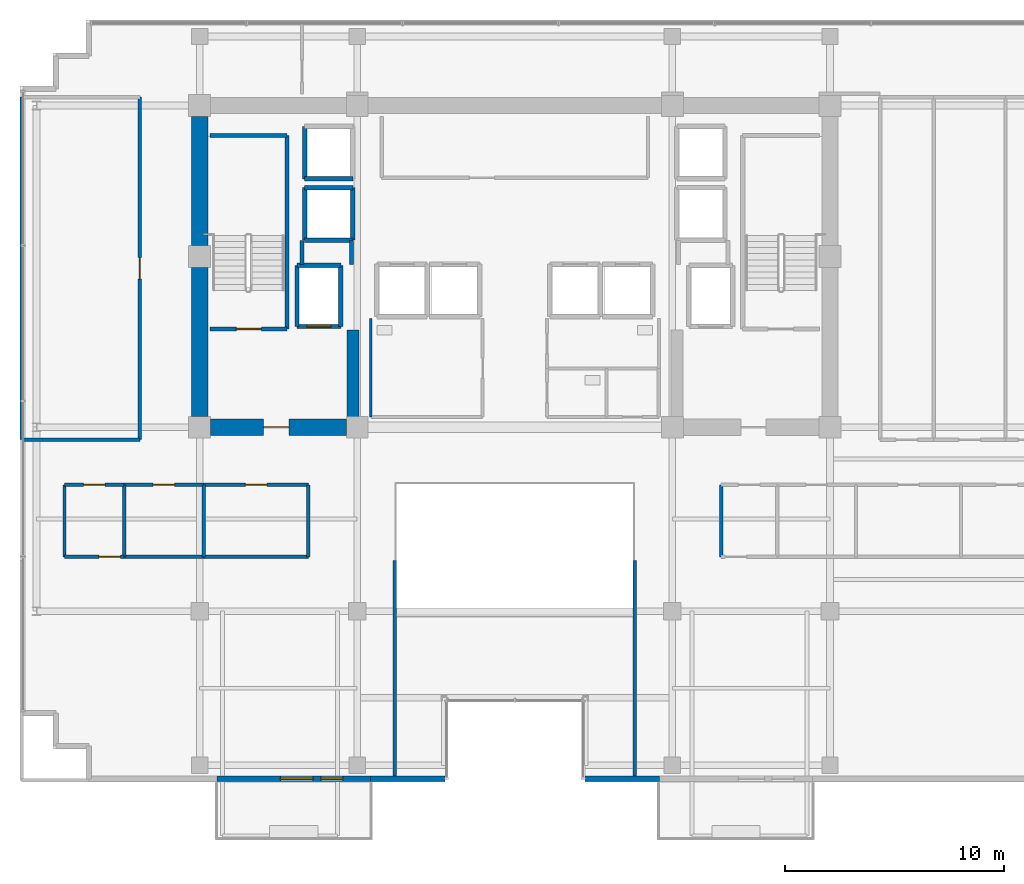
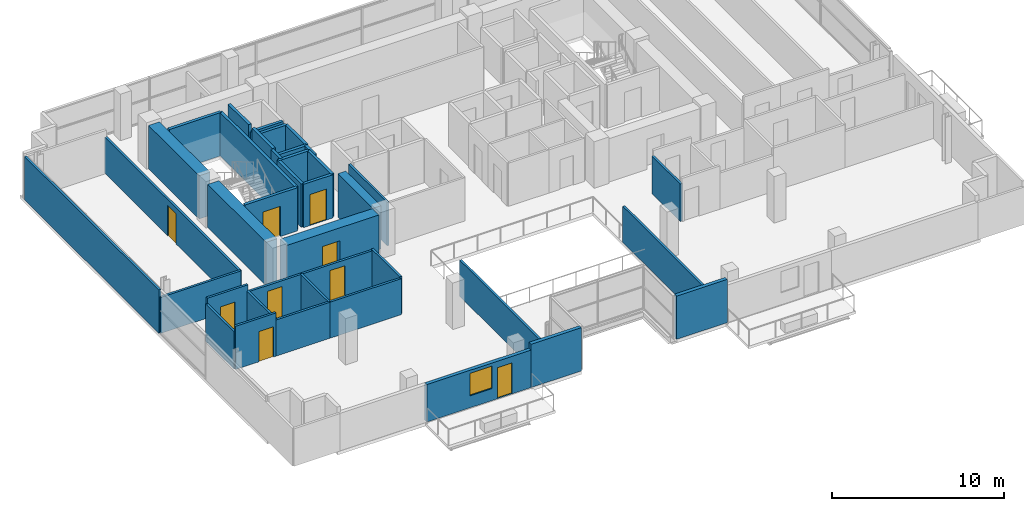
# One storey, part 15 of 21: 39 walls, 9 doors, 1 window, 10 openings.
"""IFC4 building model written with IfcOpenShell, lengths in metres."""

from ifc_helpers import new_model, si_unit, direction, frame, frame_2d, origin, place, context, subcontext, project, spatial, rectangle, extrude, source, transform, mapped, material, layer, layer_set, type_object, element, fill, save


model = new_model("IFC4")

# Units and contexts
model_context = context("Model", 3, precision=1e-05, world=origin(), true_north=direction((0.0, 1.0)))
body_context = subcontext(model_context, "Body", "Model", "MODEL_VIEW")
ifc_project = project(units=[si_unit("LENGTHUNIT", "METRE"), si_unit("AREAUNIT", "SQUARE_METRE"), si_unit("VOLUMEUNIT", "CUBIC_METRE"), si_unit("PLANEANGLEUNIT", "RADIAN"), si_unit("MASSUNIT", "GRAM", prefix="KILO")], contexts=[model_context])

# Site, building, storey
site_placement = place(None, origin())
site = spatial("IfcSite", under=ifc_project, at=site_placement, CompositionType="ELEMENT")
building_placement = place(site_placement, origin())
building = spatial("IfcBuilding", under=site, at=building_placement, Name="Zarnakvel Exchange Tower", CompositionType="ELEMENT")
storey_placement = place(building_placement, frame((0.0, 0.0, 189.10009765625)))
storey = spatial("IfcBuildingStorey", under=building, at=storey_placement, Name="L53", CompositionType="ELEMENT", Elevation=189.10009765625)

# Walls
ifc_material_1 = material(Name="Concrete C60/75", Category="concrete")
ifc_layer_1 = layer(ifc_material_1, 0.75)
ifc_layer_set_1 = layer_set([ifc_layer_1], Name="Concrete C60/75")
wall_type_1 = type_object("IfcWallType", Name="CW-C3", PredefinedType="SHEAR", material=ifc_layer_set_1)
wall_1_placement = place(storey_placement, frame((-14.39990234375, -0.699951171875, 0.0), z_axis=(0.0, 0.0, 1.0), x_axis=(0.0, 1.0, 0.0)))
element("IfcWall", 1, at=wall_1_placement, inside=storey, type_object=wall_type_1, Name="L53 Rear Core Shear Wall W1 (CW-C3)", PredefinedType="SHEAR", context=body_context, shape_type="SweptSolid", body=[
    extrude(rectangle(XDim=6.800048828125, YDim=0.75, at=frame_2d((3.39990234375, 0.0))), origin(), (0.0, 0.0, 1.0), 3.074951171875),
])
wall_2_placement = place(storey_placement, frame((-14.39990234375, 7.10009765625, 0.0), z_axis=(0.0, 0.0, 1.0), x_axis=(0.0, 1.0, 0.0)))
element("IfcWall", 2, at=wall_2_placement, inside=storey, type_object=wall_type_1, Name="L53 Rear Core Shear Wall W2 (CW-C3)", PredefinedType="SHEAR", context=body_context, shape_type="SweptSolid", body=[
    extrude(rectangle(XDim=5.89990234375, YDim=0.75, at=frame_2d((2.949951171875, 0.0))), origin(), (0.0, 0.0, 1.0), 3.074951171875),
])

# Wall, opening, door
wall_3_placement = place(storey_placement, frame((-7.699951171875, -1.199951171875, 0.0), z_axis=(0.0, 0.0, 1.0), x_axis=(-1.0, 0.0, 0.0)))
wall_3 = element("IfcWall", 3, at=wall_3_placement, inside=storey, type_object=wall_type_1, Name="L53 Rear Core Shear Wall SW (CW-C3)", PredefinedType="SHEAR", context=body_context, shape_type="SweptSolid", body=[
    extrude(rectangle(XDim=6.199951171875, YDim=0.75, at=frame_2d((3.10009765625, 0.0))), origin(), (0.0, 0.0, 1.0), 3.074951171875),
])
opening_1_placement = place(wall_3_placement, frame((2.625, 0.0, 0.0)))
opening_1 = element("IfcOpeningElement", 4, at=opening_1_placement, cuts=wall_3, Name="Opening D-L53-03", PredefinedType="OPENING", context=body_context, shape_type="SweptSolid", body=[
    extrude(rectangle(XDim=1.14990234375, YDim=2.14990234375, at=frame_2d((0.574951171875, 1.074951171875))), frame((0.0, 0.385009765625, 0.0), z_axis=(0.0, -1.0, 0.0), x_axis=(1.0, 0.0, 0.0)), (0.0, 0.0, 1.0), 0.77001953125),
])
ifc_material_2 = material(Name="Painted Galvanised Steel S355", Category="steel")
door_type_1 = type_object("IfcDoorType", Name="DT-04", OperationType="NOTDEFINED", PredefinedType="DOOR", material=ifc_material_2)
shared_shape_1 = source(origin(), body_context, "Body", "SweptSolid", [
    extrude(rectangle(XDim=1.14990234375, YDim=2.14990234375, at=frame_2d((0.574951171875, 1.074951171875))), frame((0.0, 0.02490234375, 0.0), z_axis=(0.0, -1.0, 0.0), x_axis=(1.0, 0.0, 0.0)), (0.0, 0.0, 1.0), 0.050048828125),
])
door_1_placement = place(opening_1_placement, origin())
door_1 = element("IfcDoor", 5, at=door_1_placement, inside=storey, type_object=door_type_1, Name="L53 Firefighting Lobby West Door D-L53-03", OperationType="SINGLE_SWING_LEFT", OverallHeight=2.14990234375, OverallWidth=1.14990234375, PredefinedType="DOOR", context=body_context, shape_type="MappedRepresentation", body=[
    mapped(shared_shape_1, transform((0.0, 0.0, 0.0), x_axis=(1.0, 0.0, 0.0), y_axis=(0.0, 1.0, 0.0), z_axis=(0.0, 0.0, 1.0), scale=1.0)),
])
fill(opening_1, door_1)

# Wall
ifc_layer_2 = layer(ifc_material_1, 0.550048828125)
ifc_layer_set_2 = layer_set([ifc_layer_2], Name="Concrete C60/75")
wall_type_2 = type_object("IfcWallType", Name="CW-C4", PredefinedType="SHEAR", material=ifc_layer_set_2)
wall_4_placement = place(storey_placement, frame((-7.39990234375, -0.824951171875, 0.0), z_axis=(0.0, 0.0, 1.0), x_axis=(0.0, 1.0, 0.0)))
element("IfcWall", 6, at=wall_4_placement, inside=storey, type_object=wall_type_2, Name="L53 Rear Core Shear Wall IW (CW-C4)", PredefinedType="SHEAR", context=body_context, shape_type="SweptSolid", body=[
    extrude(rectangle(XDim=4.074951171875, YDim=0.550048828125, at=frame_2d((2.03759765625, 0.0))), origin(), (0.0, 0.0, 1.0), 3.074951171875),
])

# Wall, openings, door, window
ifc_material_3 = material(Name="Precast concrete C40/50", Category="concrete")
ifc_layer_3 = layer(ifc_material_3, 0.239990234375)
ifc_layer_set_3 = layer_set([ifc_layer_3], Name="Precast concrete C40/50")
wall_type_3 = type_object("IfcWallType", Name="EW-02", PredefinedType="SOLIDWALL", material=ifc_layer_set_3)
wall_5_placement = place(storey_placement, frame((-6.60009765625, -17.260009765625, 0.0), z_axis=(0.0, 0.0, 1.0), x_axis=(-1.0, 0.0, 0.0)))
wall_5 = element("IfcWall", 7, at=wall_5_placement, inside=storey, type_object=wall_type_3, Name="L53 Exterior Precast Spandrel Wall EW-BAL-L53-SW (EW-02)", PredefinedType="SOLIDWALL", context=body_context, shape_type="SweptSolid", body=[
    extrude(rectangle(XDim=7.0, YDim=0.239990234375, at=frame_2d((3.5, 0.0))), origin(), (0.0, 0.0, 1.0), 2.664794921875),
])
opening_2_placement = place(wall_5_placement, frame((1.260009765625, 0.0, 0.0)))
opening_2 = element("IfcOpeningElement", 8, at=opening_2_placement, cuts=wall_5, Name="Opening BD-L53-01", PredefinedType="OPENING", context=body_context, shape_type="SweptSolid", body=[
    extrude(rectangle(XDim=1.0, YDim=2.199951171875, at=frame_2d((0.5, 1.10009765625))), frame((0.0, 0.1298828125, 0.0), z_axis=(0.0, -1.0, 0.0), x_axis=(1.0, 0.0, 0.0)), (0.0, 0.0, 1.0), 0.260009765625),
])
opening_3_placement = place(wall_5_placement, frame((2.610107421875, 0.0, 0.85009765625)))
opening_3 = element("IfcOpeningElement", 9, at=opening_3_placement, cuts=wall_5, Name="Opening WN-03", PredefinedType="OPENING", context=body_context, shape_type="SweptSolid", body=[
    extrude(rectangle(XDim=1.5, YDim=1.60009765625, at=frame_2d((0.75, 0.800048828125))), frame((0.0, 0.1298828125, 0.0), z_axis=(0.0, -1.0, 0.0), x_axis=(1.0, 0.0, 0.0)), (0.0, 0.0, 1.0), 0.260009765625),
])
ifc_material_4 = material(Name="Architectural Bronze Anodised Aluminium", Category="aluminium")
door_type_2 = type_object("IfcDoorType", Name="DT-09", OperationType="NOTDEFINED", PredefinedType="DOOR", material=ifc_material_4)
shared_shape_2 = source(origin(), body_context, "Body", "SweptSolid", [
    extrude(rectangle(XDim=1.0, YDim=2.199951171875, at=frame_2d((0.5, 1.10009765625))), frame((0.0, 0.02490234375, 0.0), z_axis=(0.0, -1.0, 0.0), x_axis=(1.0, 0.0, 0.0)), (0.0, 0.0, 1.0), 0.050048828125),
])
door_2_placement = place(opening_2_placement, origin())
door_2 = element("IfcDoor", 10, at=door_2_placement, inside=storey, type_object=door_type_2, Name="L53 Planted Loggia Balcony Door BD-L53-01", OperationType="SINGLE_SWING_LEFT", OverallHeight=2.199951171875, OverallWidth=1.0, PredefinedType="DOOR", context=body_context, shape_type="MappedRepresentation", body=[
    mapped(shared_shape_2, transform((0.0, 0.0, 0.0), x_axis=(1.0, 0.0, 0.0), y_axis=(0.0, 1.0, 0.0), z_axis=(0.0, 0.0, 1.0), scale=1.0)),
])
fill(opening_2, door_2)
ifc_material_5 = material(Name="Double Low-E Laminated Vision Glass", Category="glass")
window_type = type_object("IfcWindowType", Name="WN-03", PartitioningType="SINGLE_PANEL", PredefinedType="WINDOW", material=ifc_material_5)
shared_shape_3 = source(origin(), body_context, "Body", "SweptSolid", [
    extrude(rectangle(XDim=1.5, YDim=1.60009765625, at=frame_2d((0.75, 0.800048828125))), frame((0.0, 0.030029296875, 0.0), z_axis=(0.0, -1.0, 0.0), x_axis=(1.0, 0.0, 0.0)), (0.0, 0.0, 1.0), 0.06005859375),
])
window_placement = place(opening_3_placement, origin())
window = element("IfcWindow", 11, at=window_placement, inside=storey, type_object=window_type, Name="L53 Loggia Daylight Window (WN-03)", OverallHeight=1.60009765625, OverallWidth=1.5, PartitioningType="SINGLE_PANEL", PredefinedType="WINDOW", context=body_context, shape_type="MappedRepresentation", body=[
    mapped(shared_shape_3, transform((0.0, 0.0, 0.0), x_axis=(1.0, 0.0, 0.0), y_axis=(0.0, 1.0, 0.0), z_axis=(0.0, 0.0, 1.0), scale=1.0)),
])
fill(opening_3, window)

# Walls
for number, where, z_axis, x_axis, name in (
    (12, (3.199951171875, -17.260009765625, 0.0), (0.0, 0.0, 1.0), (1.0, 0.0, 0.0), "L53 Exterior Precast Spandrel Wall EWC-L53-16 (EW-02)"),
    (13, (-6.60009765625, -17.260009765625, 0.0), (0.0, 0.0, 1.0), (1.0, 0.0, 0.0), "L53 Exterior Precast Spandrel Wall EWC-L53-21 (EW-02)"),
):
    element("IfcWall", number, at=place(storey_placement, frame(where, z_axis=z_axis, x_axis=x_axis)), inside=storey, type_object=wall_type_3, Name=name, PredefinedType="SOLIDWALL", context=body_context, shape_type="SweptSolid", body=[
        extrude(rectangle(XDim=3.400146484375, YDim=0.239990234375, at=frame_2d((1.7001953125, 0.0))), origin(), (0.0, 0.0, 1.0), 3.074951171875),
    ])

# Wall, opening, door
ifc_material_6 = material(Name="Fire-Rated Gypsum Stud Partition", Category="gypsum")
ifc_layer_4 = layer(ifc_material_6, 0.14990234375)
ifc_layer_set_4 = layer_set([ifc_layer_4], Name="Fire-Rated Gypsum Stud Partition")
wall_type_4 = type_object("IfcWallType", Name="PT-01", PredefinedType="PARTITIONING", material=ifc_layer_set_4)
wall_6_placement = place(storey_placement, frame((-17.842529296875, -7.1201171875, 0.0), z_axis=(0.0, 0.0, 1.0), x_axis=(-1.0, 0.0, 0.0)))
wall_6 = element("IfcWall", 14, at=wall_6_placement, inside=storey, type_object=wall_type_4, Name="L53 Partition Wall PWALL-L53-025 (PT-01)", PredefinedType="PARTITIONING", context=body_context, shape_type="SweptSolid", body=[
    extrude(rectangle(XDim=2.72900390625, YDim=0.14990234375, at=frame_2d((1.364501953125, 0.0))), origin(), (0.0, 0.0, 1.0), 3.074951171875),
])
opening_4_placement = place(wall_6_placement, frame((0.179931640625, 0.0, 0.0)))
opening_4 = element("IfcOpeningElement", 15, at=opening_4_placement, cuts=wall_6, Name="Opening D-L53-13", PredefinedType="OPENING", context=body_context, shape_type="SweptSolid", body=[
    extrude(rectangle(XDim=0.97998046875, YDim=2.14990234375, at=frame_2d((0.489990234375, 1.074951171875))), frame((0.0, 0.0849609375, 0.0), z_axis=(0.0, -1.0, 0.0), x_axis=(1.0, 0.0, 0.0)), (0.0, 0.0, 1.0), 0.169921875),
])
ifc_material_7 = material(Name="Timber Acoustic Veneer", Category="wood")
door_type_3 = type_object("IfcDoorType", Name="DT-05", OperationType="NOTDEFINED", PredefinedType="DOOR", material=ifc_material_7)
shared_shape_4 = source(origin(), body_context, "Body", "SweptSolid", [
    extrude(rectangle(XDim=0.97998046875, YDim=2.14990234375, at=frame_2d((0.489990234375, 1.074951171875))), frame((0.0, 0.02490234375, 0.0), z_axis=(0.0, -1.0, 0.0), x_axis=(1.0, 0.0, 0.0)), (0.0, 0.0, 1.0), 0.050048828125),
])
door_3_placement = place(opening_4_placement, origin())
door_3 = element("IfcDoor", 16, at=door_3_placement, inside=storey, type_object=door_type_3, Name="L53 Equities Trading Floor Door D-L53-13", OperationType="SINGLE_SWING_LEFT", OverallHeight=2.14990234375, OverallWidth=0.97998046875, PredefinedType="DOOR", context=body_context, shape_type="MappedRepresentation", body=[
    mapped(shared_shape_4, transform((0.0, 0.0, 0.0), x_axis=(1.0, 0.0, 0.0), y_axis=(0.0, 1.0, 0.0), z_axis=(0.0, 0.0, 1.0), scale=1.0)),
])
fill(opening_4, door_3)

wall_7_placement = place(storey_placement, frame((-20.571533203125, -3.830078125, 0.0), z_axis=(0.0, 0.0, 1.0), x_axis=(1.0, 0.0, 0.0)))
wall_7 = element("IfcWall", 17, at=wall_7_placement, inside=storey, type_object=wall_type_4, Name="L53 Partition Wall PWALL-L53-026 (PT-01)", PredefinedType="PARTITIONING", context=body_context, shape_type="SweptSolid", body=[
    extrude(rectangle(XDim=2.72900390625, YDim=0.14990234375, at=frame_2d((1.364501953125, 0.0))), origin(), (0.0, 0.0, 1.0), 3.074951171875),
])
opening_5_placement = place(wall_7_placement, frame((0.87451171875, 0.0, 0.0)))
opening_5 = element("IfcOpeningElement", 18, at=opening_5_placement, cuts=wall_7, Name="Opening D-L53-10", PredefinedType="OPENING", context=body_context, shape_type="SweptSolid", body=[
    extrude(rectangle(XDim=0.97998046875, YDim=2.14990234375, at=frame_2d((0.489990234375, 1.074951171875))), frame((0.0, 0.0849609375, 0.0), z_axis=(0.0, -1.0, 0.0), x_axis=(1.0, 0.0, 0.0)), (0.0, 0.0, 1.0), 0.169921875),
])
door_4_placement = place(opening_5_placement, origin())
door_4 = element("IfcDoor", 19, at=door_4_placement, inside=storey, type_object=door_type_3, Name="L53 Asset Management Office Door D-L53-10", OperationType="SINGLE_SWING_RIGHT", OverallHeight=2.14990234375, OverallWidth=0.97998046875, PredefinedType="DOOR", context=body_context, shape_type="MappedRepresentation", body=[
    mapped(shared_shape_4, transform((0.0, 0.0, 0.0), x_axis=(1.0, 0.0, 0.0), y_axis=(0.0, 1.0, 0.0), z_axis=(0.0, 0.0, 1.0), scale=1.0)),
])
fill(opening_5, door_4)

# Walls
for number, where, z_axis, x_axis, name in (
    (20, (-20.571533203125, -7.1201171875, 0.0), (0.0, 0.0, 1.0), (0.0, 1.0, 0.0), "L53 Partition Wall PWALL-L53-027 (PT-01)"),
    (21, (-17.842529296875, -3.830078125, 0.0), (0.0, 0.0, 1.0), (0.0, -1.0, 0.0), "L53 Partition Wall PWALL-L53-028 (PT-01)"),
):
    element("IfcWall", number, at=place(storey_placement, frame(where, z_axis=z_axis, x_axis=x_axis)), inside=storey, type_object=wall_type_4, Name=name, PredefinedType="PARTITIONING", context=body_context, shape_type="SweptSolid", body=[
        extrude(rectangle(XDim=3.2900390625, YDim=0.14990234375, at=frame_2d((1.64501953125, 0.0))), origin(), (0.0, 0.0, 1.0), 2.664794921875),
    ])
wall_8_placement = place(storey_placement, frame((-14.21435546875, -7.1201171875, 0.0), z_axis=(0.0, 0.0, 1.0), x_axis=(-1.0, 0.0, 0.0)))
element("IfcWall", 22, at=wall_8_placement, inside=storey, type_object=wall_type_4, Name="L53 Partition Wall PWALL-L53-029 (PT-01)", PredefinedType="PARTITIONING", context=body_context, shape_type="SweptSolid", body=[
    extrude(rectangle(XDim=3.628173828125, YDim=0.14990234375, at=frame_2d((1.81396484375, 0.0))), origin(), (0.0, 0.0, 1.0), 2.56494140625),
])

# Wall, opening, door
wall_9_placement = place(storey_placement, frame((-17.842529296875, -3.830078125, 0.0), z_axis=(0.0, 0.0, 1.0), x_axis=(1.0, 0.0, 0.0)))
wall_9 = element("IfcWall", 23, at=wall_9_placement, inside=storey, type_object=wall_type_4, Name="L53 Partition Wall PWALL-L53-030 (PT-01)", PredefinedType="PARTITIONING", context=body_context, shape_type="SweptSolid", body=[
    extrude(rectangle(XDim=3.628173828125, YDim=0.14990234375, at=frame_2d((1.81396484375, 0.0))), origin(), (0.0, 0.0, 1.0), 2.56494140625),
])
opening_6_placement = place(wall_9_placement, frame((1.324462890625, 0.0, 0.0)))
opening_6 = element("IfcOpeningElement", 24, at=opening_6_placement, cuts=wall_9, Name="Opening D-L53-11", PredefinedType="OPENING", context=body_context, shape_type="SweptSolid", body=[
    extrude(rectangle(XDim=0.97998046875, YDim=2.14990234375, at=frame_2d((0.489990234375, 1.074951171875))), frame((0.0, 0.0849609375, 0.0), z_axis=(0.0, -1.0, 0.0), x_axis=(1.0, 0.0, 0.0)), (0.0, 0.0, 1.0), 0.169921875),
])
door_5_placement = place(opening_6_placement, origin())
door_5 = element("IfcDoor", 25, at=door_5_placement, inside=storey, type_object=door_type_3, Name="L53 Meeting Room Door D-L53-11", OperationType="SINGLE_SWING_LEFT", OverallHeight=2.14990234375, OverallWidth=0.97998046875, PredefinedType="DOOR", context=body_context, shape_type="MappedRepresentation", body=[
    mapped(shared_shape_4, transform((0.0, 0.0, 0.0), x_axis=(1.0, 0.0, 0.0), y_axis=(0.0, 1.0, 0.0), z_axis=(0.0, 0.0, 1.0), scale=1.0)),
])
fill(opening_6, door_5)

# Walls
wall_10_placement = place(storey_placement, frame((-14.21435546875, -3.830078125, 0.0), z_axis=(0.0, 0.0, 1.0), x_axis=(0.0, -1.0, 0.0)))
element("IfcWall", 26, at=wall_10_placement, inside=storey, type_object=wall_type_4, Name="L53 Partition Wall PWALL-L53-031 (PT-01)", PredefinedType="PARTITIONING", context=body_context, shape_type="SweptSolid", body=[
    extrude(rectangle(XDim=3.2900390625, YDim=0.14990234375, at=frame_2d((1.64501953125, 0.0))), origin(), (0.0, 0.0, 1.0), 2.56494140625),
])
wall_11_placement = place(storey_placement, frame((-9.429931640625, -7.1201171875, 0.0), z_axis=(0.0, 0.0, 1.0), x_axis=(-1.0, 0.0, 0.0)))
element("IfcWall", 27, at=wall_11_placement, inside=storey, type_object=wall_type_4, Name="L53 Partition Wall PWALL-L53-032 (PT-01)", PredefinedType="PARTITIONING", context=body_context, shape_type="SweptSolid", body=[
    extrude(rectangle(XDim=4.784423828125, YDim=0.14990234375, at=frame_2d((2.39208984375, 0.0))), origin(), (0.0, 0.0, 1.0), 2.56494140625),
])

# Wall, opening, door
wall_12_placement = place(storey_placement, frame((-14.21435546875, -3.830078125, 0.0), z_axis=(0.0, 0.0, 1.0), x_axis=(1.0, 0.0, 0.0)))
wall_12 = element("IfcWall", 28, at=wall_12_placement, inside=storey, type_object=wall_type_4, Name="L53 Partition Wall PWALL-L53-033 (PT-01)", PredefinedType="PARTITIONING", context=body_context, shape_type="SweptSolid", body=[
    extrude(rectangle(XDim=4.784423828125, YDim=0.14990234375, at=frame_2d((2.39208984375, 0.0))), origin(), (0.0, 0.0, 1.0), 2.56494140625),
])
opening_7_placement = place(wall_12_placement, frame((1.90234375, 0.0, 0.0)))
opening_7 = element("IfcOpeningElement", 29, at=opening_7_placement, cuts=wall_12, Name="Opening D-L53-12", PredefinedType="OPENING", context=body_context, shape_type="SweptSolid", body=[
    extrude(rectangle(XDim=0.97998046875, YDim=2.14990234375, at=frame_2d((0.489990234375, 1.074951171875))), frame((0.0, 0.0849609375, 0.0), z_axis=(0.0, -1.0, 0.0), x_axis=(1.0, 0.0, 0.0)), (0.0, 0.0, 1.0), 0.169921875),
])
door_6_placement = place(opening_7_placement, origin())
door_6 = element("IfcDoor", 30, at=door_6_placement, inside=storey, type_object=door_type_3, Name="L53 Executive Office Door D-L53-12", OperationType="SINGLE_SWING_RIGHT", OverallHeight=2.14990234375, OverallWidth=0.97998046875, PredefinedType="DOOR", context=body_context, shape_type="MappedRepresentation", body=[
    mapped(shared_shape_4, transform((0.0, 0.0, 0.0), x_axis=(1.0, 0.0, 0.0), y_axis=(0.0, 1.0, 0.0), z_axis=(0.0, 0.0, 1.0), scale=1.0)),
])
fill(opening_7, door_6)

# Walls
wall_13_placement = place(storey_placement, frame((-9.429931640625, -3.830078125, 0.0), z_axis=(0.0, 0.0, 1.0), x_axis=(0.0, -1.0, 0.0)))
element("IfcWall", 31, at=wall_13_placement, inside=storey, type_object=wall_type_4, Name="L53 Partition Wall PWALL-L53-034 (PT-01)", PredefinedType="PARTITIONING", context=body_context, shape_type="SweptSolid", body=[
    extrude(rectangle(XDim=3.2900390625, YDim=0.14990234375, at=frame_2d((1.64501953125, 0.0))), origin(), (0.0, 0.0, 1.0), 2.664794921875),
])
wall_14_placement = place(storey_placement, frame((-5.47998046875, -7.280029296875, 0.0), z_axis=(0.0, 0.0, 1.0), x_axis=(0.0, -1.0, 0.0)))
element("IfcWall", 32, at=wall_14_placement, inside=storey, type_object=wall_type_4, Name="L53 Partition Wall PWALL-L53-037 (PT-01)", PredefinedType="PARTITIONING", context=body_context, shape_type="SweptSolid", body=[
    extrude(rectangle(XDim=10.050048828125, YDim=0.14990234375, at=frame_2d((5.02490234375, 0.0))), origin(), (0.0, 0.0, 1.0), 2.56494140625),
])
wall_15_placement = place(storey_placement, frame((9.429931640625, -7.1201171875, 0.0), z_axis=(0.0, 0.0, 1.0), x_axis=(0.0, 1.0, 0.0)))
element("IfcWall", 33, at=wall_15_placement, inside=storey, type_object=wall_type_4, Name="L53 Partition Wall PWALL-L53-040 (PT-01)", PredefinedType="PARTITIONING", context=body_context, shape_type="SweptSolid", body=[
    extrude(rectangle(XDim=3.2900390625, YDim=0.14990234375, at=frame_2d((1.64501953125, 0.0))), origin(), (0.0, 0.0, 1.0), 2.664794921875),
])
wall_16_placement = place(storey_placement, frame((5.47998046875, -17.330078125, 0.0), z_axis=(0.0, 0.0, 1.0), x_axis=(0.0, 1.0, 0.0)))
element("IfcWall", 34, at=wall_16_placement, inside=storey, type_object=wall_type_4, Name="L53 Partition Wall PWALL-L53-052 (PT-01)", PredefinedType="PARTITIONING", context=body_context, shape_type="SweptSolid", body=[
    extrude(rectangle(XDim=10.050048828125, YDim=0.14990234375, at=frame_2d((5.02490234375, 0.0))), origin(), (0.0, 0.0, 1.0), 2.56494140625),
])
wall_17_placement = place(storey_placement, frame((-17.1298828125, -1.77001953125, 0.0), z_axis=(0.0, 0.0, 1.0), x_axis=(-1.0, 0.0, 0.0)))
element("IfcWall", 35, at=wall_17_placement, inside=storey, type_object=wall_type_4, Name="L53 Partition Wall PWALL-L53-054 (PT-01)", PredefinedType="PARTITIONING", context=body_context, shape_type="SweptSolid", body=[
    extrude(rectangle(XDim=5.400146484375, YDim=0.14990234375, at=frame_2d((2.7001953125, 0.0))), origin(), (0.0, 0.0, 1.0), 2.56494140625),
])
wall_18_placement = place(storey_placement, frame((-22.530029296875, -1.77001953125, 0.0), z_axis=(0.0, 0.0, 1.0), x_axis=(0.0, 1.0, 0.0)))
element("IfcWall", 36, at=wall_18_placement, inside=storey, type_object=wall_type_4, Name="L53 Partition Wall PWALL-L53-056 (PT-01)", PredefinedType="PARTITIONING", context=body_context, shape_type="SweptSolid", body=[
    extrude(rectangle(XDim=15.64990234375, YDim=0.14990234375, at=frame_2d((7.824951171875, 0.0))), origin(), (0.0, 0.0, 1.0), 3.074951171875),
])

# Wall, opening, door
wall_19_placement = place(storey_placement, frame((-17.1298828125, 13.8798828125, 0.0), z_axis=(0.0, 0.0, 1.0), x_axis=(0.0, -1.0, 0.0)))
wall_19 = element("IfcWall", 37, at=wall_19_placement, inside=storey, type_object=wall_type_4, Name="L53 Partition Wall PWALL-L53-057 (PT-01)", PredefinedType="PARTITIONING", context=body_context, shape_type="SweptSolid", body=[
    extrude(rectangle(XDim=15.64990234375, YDim=0.14990234375, at=frame_2d((7.824951171875, 0.0))), origin(), (0.0, 0.0, 1.0), 2.56494140625),
])
opening_8_placement = place(wall_19_placement, frame((7.3349609375, 0.0, 0.0)))
opening_8 = element("IfcOpeningElement", 38, at=opening_8_placement, cuts=wall_19, Name="Opening D-L53-19", PredefinedType="OPENING", context=body_context, shape_type="SweptSolid", body=[
    extrude(rectangle(XDim=0.97998046875, YDim=2.14990234375, at=frame_2d((0.489990234375, 1.074951171875))), frame((0.0, 0.0849609375, 0.0), z_axis=(0.0, -1.0, 0.0), x_axis=(1.0, 0.0, 0.0)), (0.0, 0.0, 1.0), 0.169921875),
])
door_7_placement = place(opening_8_placement, origin())
door_7 = element("IfcDoor", 39, at=door_7_placement, inside=storey, type_object=door_type_3, Name="L53 Executive Office Door D-L53-19", OperationType="SINGLE_SWING_LEFT", OverallHeight=2.14990234375, OverallWidth=0.97998046875, PredefinedType="DOOR", context=body_context, shape_type="MappedRepresentation", body=[
    mapped(shared_shape_4, transform((0.0, 0.0, 0.0), x_axis=(1.0, 0.0, 0.0), y_axis=(0.0, 1.0, 0.0), z_axis=(0.0, 0.0, 1.0), scale=1.0)),
])
fill(opening_8, door_7)

# Walls
ifc_layer_5 = layer(ifc_material_6, 0.179931640625)
ifc_layer_set_5 = layer_set([ifc_layer_5], Name="Fire-Rated Gypsum Stud Partition")
wall_type_5 = type_object("IfcWallType", Name="PT-02", PredefinedType="PARTITIONING", material=ifc_layer_set_5)
wall_20_placement = place(storey_placement, frame((-9.72998046875, 6.239990234375, 0.0), z_axis=(0.0, 0.0, 1.0), x_axis=(0.0, 1.0, 0.0)))
element("IfcWall", 40, at=wall_20_placement, inside=storey, type_object=wall_type_5, Name="L53 Partition Wall PWALL-L53-007 (PT-02)", PredefinedType="PARTITIONING", context=body_context, shape_type="SweptSolid", body=[
    extrude(rectangle(XDim=1.090087890625, YDim=0.179931640625, at=frame_2d((0.544921875, 0.0))), origin(), (0.0, 0.0, 1.0), 3.074951171875),
])
wall_21_placement = place(storey_placement, frame((-7.469970703125, 7.330078125, 0.0), z_axis=(0.0, 0.0, 1.0), x_axis=(0.0, -1.0, 0.0)))
element("IfcWall", 41, at=wall_21_placement, inside=storey, type_object=wall_type_5, Name="L53 Partition Wall PWALL-L53-008 (PT-02)", PredefinedType="PARTITIONING", context=body_context, shape_type="SweptSolid", body=[
    extrude(rectangle(XDim=1.090087890625, YDim=0.179931640625, at=frame_2d((0.544921875, 0.0))), origin(), (0.0, 0.0, 1.0), 2.56494140625),
])
ifc_material_8 = material(Name="Moisture-Resistant Tile-Faced Partition", Category="gypsum")
ifc_layer_6 = layer(ifc_material_8, 0.135009765625)
ifc_layer_set_6 = layer_set([ifc_layer_6], Name="Moisture-Resistant Tile-Faced Partition")
wall_type_6 = type_object("IfcWallType", Name="PT-03", PredefinedType="PARTITIONING", material=ifc_layer_set_6)
wall_22_placement = place(storey_placement, frame((-6.580078125, -0.72998046875, 0.0), z_axis=(0.0, 0.0, 1.0), x_axis=(0.0, 1.0, 0.0)))
element("IfcWall", 42, at=wall_22_placement, inside=storey, type_object=wall_type_6, Name="L53 Partition Wall PWALL-L53-015 (PT-03)", PredefinedType="PARTITIONING", context=body_context, shape_type="SweptSolid", body=[
    extrude(rectangle(XDim=4.489990234375, YDim=0.135009765625, at=frame_2d((2.2451171875, 0.0))), origin(), (0.0, 0.0, 1.0), 3.074951171875),
])

# Wall, opening, door
ifc_material_9 = material(Name="Concrete C40/50", Category="concrete")
ifc_layer_7 = layer(ifc_material_9, 0.199951171875)
ifc_layer_set_7 = layer_set([ifc_layer_7], Name="Concrete C40/50")
wall_type_7 = type_object("IfcWallType", Name="SW-01", PredefinedType="SOLIDWALL", material=ifc_layer_set_7)
wall_23_placement = place(storey_placement, frame((-7.949951171875, 3.39990234375, 0.0), z_axis=(0.0, 0.0, 1.0), x_axis=(-1.0, 0.0, 0.0)))
wall_23 = element("IfcWall", 43, at=wall_23_placement, inside=storey, type_object=wall_type_7, Name="L53 FL-01 Hoistway Wall South", PredefinedType="SOLIDWALL", context=body_context, shape_type="SweptSolid", body=[
    extrude(rectangle(XDim=2.0, YDim=0.199951171875, at=frame_2d((1.0, 0.0))), origin(), (0.0, 0.0, 1.0), 3.074951171875),
])
opening_9_placement = place(wall_23_placement, frame((0.449951171875, 0.0, 0.0)))
opening_9 = element("IfcOpeningElement", 44, at=opening_9_placement, cuts=wall_23, Name="Opening LD-FL-01-L53", PredefinedType="OPENING", context=body_context, shape_type="SweptSolid", body=[
    extrude(rectangle(XDim=1.10009765625, YDim=2.199951171875, at=frame_2d((0.550048828125, 1.10009765625))), frame((0.0, 0.10986328125, 0.0), z_axis=(0.0, -1.0, 0.0), x_axis=(1.0, 0.0, 0.0)), (0.0, 0.0, 1.0), 0.219970703125),
])
ifc_material_10 = material(Name="Brushed Stainless Steel", Category="steel")
door_type_4 = type_object("IfcDoorType", Name="LDT-01", OperationType="NOTDEFINED", PredefinedType="DOOR", material=ifc_material_10)
shared_shape_5 = source(origin(), body_context, "Body", "SweptSolid", [
    extrude(rectangle(XDim=1.10009765625, YDim=2.199951171875, at=frame_2d((0.550048828125, 1.10009765625))), frame((0.0, 0.02490234375, 0.0), z_axis=(0.0, -1.0, 0.0), x_axis=(1.0, 0.0, 0.0)), (0.0, 0.0, 1.0), 0.050048828125),
])
door_8_placement = place(opening_9_placement, origin())
door_8 = element("IfcDoor", 45, at=door_8_placement, inside=storey, type_object=door_type_4, Name="L53 FL-01 Lift Landing Door LD-FL-01-L53", OperationType="DOUBLE_DOOR_SLIDING", OverallHeight=2.199951171875, OverallWidth=1.10009765625, PredefinedType="DOOR", context=body_context, shape_type="MappedRepresentation", body=[
    mapped(shared_shape_5, transform((0.0, 0.0, 0.0), x_axis=(1.0, 0.0, 0.0), y_axis=(0.0, 1.0, 0.0), z_axis=(0.0, 0.0, 1.0), scale=1.0)),
])
fill(opening_9, door_8)

# Walls
wall_24_placement = place(storey_placement, frame((-9.949951171875, 6.199951171875, 0.0), z_axis=(0.0, 0.0, 1.0), x_axis=(1.0, 0.0, 0.0)))
element("IfcWall", 46, at=wall_24_placement, inside=storey, type_object=wall_type_7, Name="L53 FL-01 Hoistway Wall North", PredefinedType="SOLIDWALL", context=body_context, shape_type="SweptSolid", body=[
    extrude(rectangle(XDim=2.0, YDim=0.199951171875, at=frame_2d((1.0, 0.0))), origin(), (0.0, 0.0, 1.0), 3.074951171875),
])
for number, where, z_axis, x_axis, name in (
    (47, (-9.949951171875, 3.39990234375, 0.0), (0.0, 0.0, 1.0), (0.0, 1.0, 0.0), "L53 FL-01 Hoistway Wall West"),
    (48, (-7.949951171875, 6.199951171875, 0.0), (0.0, 0.0, 1.0), (0.0, -1.0, 0.0), "L53 FL-01 Hoistway Wall East"),
):
    element("IfcWall", number, at=place(storey_placement, frame(where, z_axis=z_axis, x_axis=x_axis)), inside=storey, type_object=wall_type_7, Name=name, PredefinedType="SOLIDWALL", context=body_context, shape_type="SweptSolid", body=[
        extrude(rectangle(XDim=2.800048828125, YDim=0.199951171875, at=frame_2d((1.39990234375, 0.0))), origin(), (0.0, 0.0, 1.0), 3.074951171875),
    ])
for number, where, z_axis, x_axis, name in (
    (49, (-7.39990234375, 7.35009765625, 0.0), (0.0, 0.0, 1.0), (-1.0, 0.0, 0.0), "L53 PL-09 Hoistway Wall South"),
    (50, (-9.60009765625, 9.75, 0.0), (0.0, 0.0, 1.0), (1.0, 0.0, 0.0), "L53 PL-09 Hoistway Wall North"),
):
    element("IfcWall", number, at=place(storey_placement, frame(where, z_axis=z_axis, x_axis=x_axis)), inside=storey, type_object=wall_type_7, Name=name, PredefinedType="SOLIDWALL", context=body_context, shape_type="SweptSolid", body=[
        extrude(rectangle(XDim=2.2001953125, YDim=0.199951171875, at=frame_2d((1.10009765625, 0.0))), origin(), (0.0, 0.0, 1.0), 2.56494140625),
    ])
wall_25_placement = place(storey_placement, frame((-9.60009765625, 7.35009765625, 0.0), z_axis=(0.0, 0.0, 1.0), x_axis=(0.0, 1.0, 0.0)))
element("IfcWall", 51, at=wall_25_placement, inside=storey, type_object=wall_type_7, Name="L53 PL-09 Hoistway Wall West", PredefinedType="SOLIDWALL", context=body_context, shape_type="SweptSolid", body=[
    extrude(rectangle(XDim=2.39990234375, YDim=0.199951171875, at=frame_2d((1.199951171875, 0.0))), origin(), (0.0, 0.0, 1.0), 3.074951171875),
])
wall_26_placement = place(storey_placement, frame((-7.39990234375, 9.75, 0.0), z_axis=(0.0, 0.0, 1.0), x_axis=(0.0, -1.0, 0.0)))
element("IfcWall", 52, at=wall_26_placement, inside=storey, type_object=wall_type_7, Name="L53 PL-09 Hoistway Wall East", PredefinedType="SOLIDWALL", context=body_context, shape_type="SweptSolid", body=[
    extrude(rectangle(XDim=2.39990234375, YDim=0.199951171875, at=frame_2d((1.199951171875, 0.0))), origin(), (0.0, 0.0, 1.0), 2.56494140625),
])
wall_27_placement = place(storey_placement, frame((-7.39990234375, 10.14990234375, 0.0), z_axis=(0.0, 0.0, 1.0), x_axis=(-1.0, 0.0, 0.0)))
element("IfcWall", 53, at=wall_27_placement, inside=storey, type_object=wall_type_7, Name="L53 PL-10 Hoistway Wall South", PredefinedType="SOLIDWALL", context=body_context, shape_type="SweptSolid", body=[
    extrude(rectangle(XDim=2.2001953125, YDim=0.199951171875, at=frame_2d((1.10009765625, 0.0))), origin(), (0.0, 0.0, 1.0), 2.56494140625),
])
wall_28_placement = place(storey_placement, frame((-9.60009765625, 10.14990234375, 0.0), z_axis=(0.0, 0.0, 1.0), x_axis=(0.0, 1.0, 0.0)))
element("IfcWall", 54, at=wall_28_placement, inside=storey, type_object=wall_type_7, Name="L53 PL-10 Hoistway Wall West", PredefinedType="SOLIDWALL", context=body_context, shape_type="SweptSolid", body=[
    extrude(rectangle(XDim=2.400146484375, YDim=0.199951171875, at=frame_2d((1.2001953125, 0.0))), origin(), (0.0, 0.0, 1.0), 3.074951171875),
])

# Wall, opening, door
ifc_layer_8 = layer(ifc_material_9, 0.199951171875)
ifc_layer_set_8 = layer_set([ifc_layer_8], Name="Concrete C40/50")
wall_type_8 = type_object("IfcWallType", Name="SW-02", PredefinedType="SOLIDWALL", material=ifc_layer_set_8)
wall_29_placement = place(storey_placement, frame((-10.409912109375, 3.2900390625, 0.0), z_axis=(0.0, 0.0, 1.0), x_axis=(-1.0, 0.0, 0.0)))
wall_29 = element("IfcWall", 55, at=wall_29_placement, inside=storey, type_object=wall_type_8, Name="L53 Stairwell Core Wall PWALL-L53-001 (SW-02)", PredefinedType="SOLIDWALL", context=body_context, shape_type="SweptSolid", body=[
    extrude(rectangle(XDim=3.52001953125, YDim=0.199951171875, at=frame_2d((1.760009765625, 0.0))), origin(), (0.0, 0.0, 1.0), 3.074951171875),
])
opening_10_placement = place(wall_29_placement, frame((1.1650390625, 0.0, 0.0)))
opening_10 = element("IfcOpeningElement", 56, at=opening_10_placement, cuts=wall_29, Name="Opening D-L53-01", PredefinedType="OPENING", context=body_context, shape_type="SweptSolid", body=[
    extrude(rectangle(XDim=1.14990234375, YDim=2.14990234375, at=frame_2d((0.574951171875, 1.074951171875))), frame((0.0, 0.10986328125, 0.0), z_axis=(0.0, -1.0, 0.0), x_axis=(1.0, 0.0, 0.0)), (0.0, 0.0, 1.0), 0.219970703125),
])
door_9_placement = place(opening_10_placement, origin())
door_9 = element("IfcDoor", 57, at=door_9_placement, inside=storey, type_object=door_type_1, Name="L53 Stairwell ST-01 Door D-L53-01", OperationType="SINGLE_SWING_LEFT", OverallHeight=2.14990234375, OverallWidth=1.14990234375, PredefinedType="DOOR", context=body_context, shape_type="MappedRepresentation", body=[
    mapped(shared_shape_1, transform((0.0, 0.0, 0.0), x_axis=(1.0, 0.0, 0.0), y_axis=(0.0, 1.0, 0.0), z_axis=(0.0, 0.0, 1.0), scale=1.0)),
])
fill(opening_10, door_9)

# Walls
wall_30_placement = place(storey_placement, frame((-13.929931640625, 12.1298828125, 0.0), z_axis=(0.0, 0.0, 1.0), x_axis=(1.0, 0.0, 0.0)))
element("IfcWall", 58, at=wall_30_placement, inside=storey, type_object=wall_type_8, Name="L53 Stairwell Core Wall PWALL-L53-002 (SW-02)", PredefinedType="SOLIDWALL", context=body_context, shape_type="SweptSolid", body=[
    extrude(rectangle(XDim=3.52001953125, YDim=0.199951171875, at=frame_2d((1.760009765625, 0.0))), origin(), (0.0, 0.0, 1.0), 3.074951171875),
])
wall_31_placement = place(storey_placement, frame((-10.409912109375, 12.1298828125, 0.0), z_axis=(0.0, 0.0, 1.0), x_axis=(0.0, -1.0, 0.0)))
element("IfcWall", 59, at=wall_31_placement, inside=storey, type_object=wall_type_8, Name="L53 Stairwell Core Wall PWALL-L53-003 (SW-02)", PredefinedType="SOLIDWALL", context=body_context, shape_type="SweptSolid", body=[
    extrude(rectangle(XDim=8.83984375, YDim=0.199951171875, at=frame_2d((4.419921875, 0.0))), origin(), (0.0, 0.0, 1.0), 3.074951171875),
])

save(model, "model.ifc")
